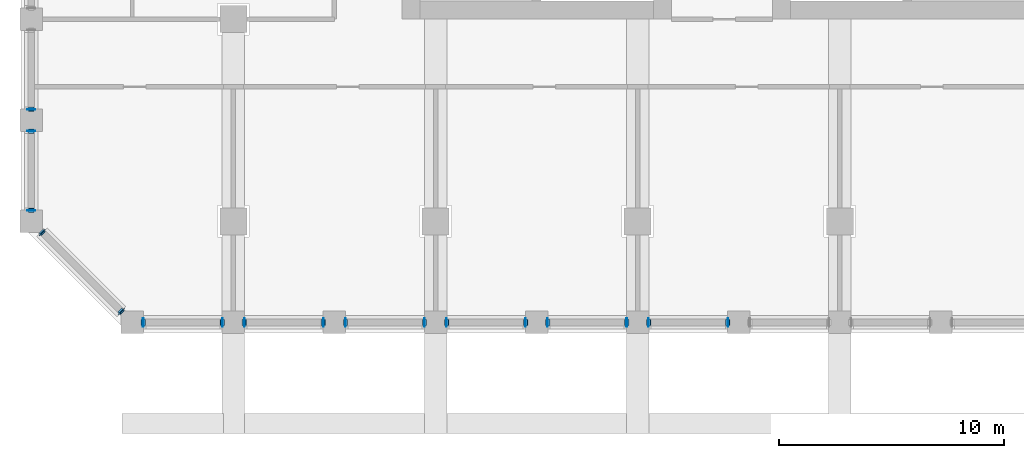
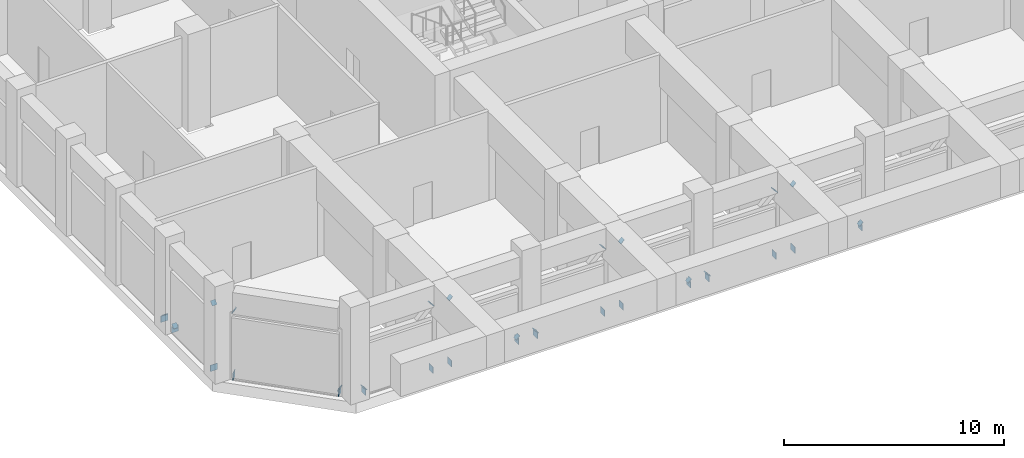
# One storey, part 8 of 20: 34 discrete accessories.
"""IFC4 building model written with IfcOpenShell, lengths in metres."""

from ifc_helpers import new_model, si_unit, direction, frame, origin, origin_2d, place, context, subcontext, project, spatial, rectangle, extrude, material, material_profile, profile_set, type_object, element, save


model = new_model("IFC4")

# Units and contexts
model_context = context("Model", 3, precision=1e-05, world=origin(), true_north=direction((0.0, 1.0)))
body_context = subcontext(model_context, "Body", "Model", "MODEL_VIEW")
ifc_project = project(units=[si_unit("LENGTHUNIT", "METRE"), si_unit("AREAUNIT", "SQUARE_METRE"), si_unit("VOLUMEUNIT", "CUBIC_METRE"), si_unit("PLANEANGLEUNIT", "RADIAN"), si_unit("MASSUNIT", "GRAM", prefix="KILO")], contexts=[model_context])

# Site, building, storey
site_placement = place(None, origin())
site = spatial("IfcSite", under=ifc_project, at=site_placement, CompositionType="ELEMENT")
building_placement = place(site_placement, origin())
building = spatial("IfcBuilding", under=site, at=building_placement, Name="Corbel Stack Research Tower", CompositionType="ELEMENT")
storey_placement = place(building_placement, frame((0.0, 0.0, 151.39990234375)))
storey = spatial("IfcBuildingStorey", under=building, at=storey_placement, Name="L34", CompositionType="ELEMENT", Elevation=151.39990234375)

# Discrete accessories
ifc_material_1 = material(Name="Steel S355", Category="steel")
ifc_material_profile_1 = material_profile(ifc_material_1, rectangle(XDim=0.25390625, YDim=0.25390625, at=origin_2d()), Name="End plate 254x254x25")
ifc_profile_set_1 = profile_set([ifc_material_profile_1], Name="Steel S355")
discrete_accessory_type_1 = type_object("IfcDiscreteAccessoryType", Name="End plate 254x254x25", PredefinedType="ANCHORPLATE", material=ifc_profile_set_1)
for number, where, z_axis, x_axis, name in (
    (1, (-22.0, -22.5, 0.356201171875), (-0.711966448453, 0.0, -0.702213483406), (0.0, -1.0, 0.0), "Belt truss end plate L34-01d1"),
    (2, (-18.5, -22.5, 3.75), (0.711966448453, 0.0, 0.702213483406), (0.0, 1.0, 0.0), "Belt truss end plate L34-01d2"),
    (3, (-14.0, -22.5, 0.356201171875), (0.711966448453, 0.0, -0.702213483406), (0.0, 1.0, 0.0), "Belt truss end plate L34-02d1"),
    (4, (-17.5, -22.5, 3.75), (-0.711966448453, 0.0, 0.702213483406), (0.0, -1.0, 0.0), "Belt truss end plate L34-02d2"),
    (5, (-13.0, -22.5, 0.356201171875), (-0.711966448453, 0.0, -0.702213483406), (0.0, -1.0, 0.0), "Belt truss end plate L34-03d1"),
    (6, (-9.5, -22.5, 3.75), (0.711966448453, 0.0, 0.702213483406), (0.0, 1.0, 0.0), "Belt truss end plate L34-03d2"),
    (7, (-5.0, -22.5, 0.356201171875), (0.711966448453, 0.0, -0.702213483406), (0.0, 1.0, 0.0), "Belt truss end plate L34-04d1"),
    (8, (-8.5, -22.5, 3.75), (-0.711966448453, 0.0, 0.702213483406), (0.0, -1.0, 0.0), "Belt truss end plate L34-04d2"),
    (9, (-4.0, -22.5, 0.356201171875), (-0.711966448453, 0.0, -0.702213483406), (0.0, -1.0, 0.0), "Belt truss end plate L34-05d1"),
    (10, (-0.5, -22.5, 3.75), (0.711966448453, 0.0, 0.702213483406), (0.0, 1.0, 0.0), "Belt truss end plate L34-05d2"),
    (11, (4.0, -22.5, 0.356201171875), (0.711966448453, 0.0, -0.702213483406), (0.0, 1.0, 0.0), "Belt truss end plate L34-06d1"),
    (12, (0.5, -22.5, 3.75), (-0.711966448453, 0.0, 0.702213483406), (0.0, -1.0, 0.0), "Belt truss end plate L34-06d2"),
    (13, (-27.0, -13.0, 0.356201171875), (0.0, -0.711966448453, -0.702213483406), (1.0, 0.0, 0.0), "Belt truss end plate L34-40d1"),
    (14, (-27.0, -14.0, 0.356201171875), (0.0, 0.711966448453, -0.702213483406), (-1.0, 0.0, 0.0), "Belt truss end plate L34-41d1"),
    (15, (-27.0, -17.5, 3.75), (0.0, -0.711966448453, 0.702213483406), (1.0, 0.0, 0.0), "Belt truss end plate L34-41d2"),
    (16, (-23.0, -22.0, 0.356201171875), (0.58376365729, -0.58376365729, -0.564304868714), (0.707106781187, 0.707106781187, 0.0), "Belt truss end plate L34-42d1"),
    (17, (-26.5, -18.5, 3.75), (-0.58376365729, 0.58376365729, 0.564304868714), (-0.707106781187, -0.707106781187, 0.0), "Belt truss end plate L34-42d2"),
):
    element("IfcDiscreteAccessory", number, at=place(storey_placement, frame(where, z_axis=z_axis, x_axis=x_axis)), inside=storey, type_object=discrete_accessory_type_1, Name=name, PredefinedType="ANCHORPLATE", context=body_context, shape_type="SweptSolid", body=[
        extrude(rectangle(XDim=0.25390625, YDim=0.25390625, at=origin_2d()), origin(), (0.0, 0.0, 1.0), 0.025146484375),
    ])
ifc_material_2 = material(Name="Steel S355", Category="steel")
ifc_material_profile_2 = material_profile(ifc_material_2, rectangle(XDim=0.368896484375, YDim=0.35595703125, at=origin_2d()), Name="End plate 369x356x25")
ifc_profile_set_2 = profile_set([ifc_material_profile_2], Name="Steel S355")
discrete_accessory_type_2 = type_object("IfcDiscreteAccessoryType", Name="End plate 369x356x25", PredefinedType="ANCHORPLATE", material=ifc_profile_set_2)
for number, where, z_axis, x_axis, name in (
    (18, (-22.0, -22.5, 0.177978515625), (-1.0, 0.0, 0.0), (0.0, -1.0, 0.0), "Belt truss end plate L34-01c1"),
    (19, (-18.5, -22.5, 0.177978515625), (1.0, 0.0, 0.0), (0.0, 1.0, 0.0), "Belt truss end plate L34-01c2"),
    (20, (-17.5, -22.5, 0.177978515625), (-1.0, 0.0, 0.0), (0.0, -1.0, 0.0), "Belt truss end plate L34-02c1"),
    (21, (-14.0, -22.5, 0.177978515625), (1.0, 0.0, 0.0), (0.0, 1.0, 0.0), "Belt truss end plate L34-02c2"),
    (22, (-13.0, -22.5, 0.177978515625), (-1.0, 0.0, 0.0), (0.0, -1.0, 0.0), "Belt truss end plate L34-03c1"),
    (23, (-9.5, -22.5, 0.177978515625), (1.0, 0.0, 0.0), (0.0, 1.0, 0.0), "Belt truss end plate L34-03c2"),
    (24, (-8.5, -22.5, 0.177978515625), (-1.0, 0.0, 0.0), (0.0, -1.0, 0.0), "Belt truss end plate L34-04c1"),
    (25, (-5.0, -22.5, 0.177978515625), (1.0, 0.0, 0.0), (0.0, 1.0, 0.0), "Belt truss end plate L34-04c2"),
    (26, (-4.0, -22.5, 0.177978515625), (-1.0, 0.0, 0.0), (0.0, -1.0, 0.0), "Belt truss end plate L34-05c1"),
    (27, (-0.5, -22.5, 0.177978515625), (1.0, 0.0, 0.0), (0.0, 1.0, 0.0), "Belt truss end plate L34-05c2"),
    (28, (0.5, -22.5, 0.177978515625), (-1.0, 0.0, 0.0), (0.0, -1.0, 0.0), "Belt truss end plate L34-06c1"),
    (29, (4.0, -22.5, 0.177978515625), (1.0, 0.0, 0.0), (0.0, 1.0, 0.0), "Belt truss end plate L34-06c2"),
    (30, (-27.0, -13.0, 0.177978515625), (0.0, -1.0, 0.0), (1.0, 0.0, 0.0), "Belt truss end plate L34-40c2"),
    (31, (-27.0, -14.0, 0.177978515625), (0.0, 1.0, 0.0), (-1.0, 0.0, 0.0), "Belt truss end plate L34-41c1"),
    (32, (-27.0, -17.5, 0.177978515625), (0.0, -1.0, 0.0), (1.0, 0.0, 0.0), "Belt truss end plate L34-41c2"),
    (33, (-26.5, -18.5, 0.177978515625), (-0.707106781187, 0.707106781187, 0.0), (-0.707106781187, -0.707106781187, 0.0), "Belt truss end plate L34-42c1"),
    (34, (-23.0, -22.0, 0.177978515625), (0.707106781187, -0.707106781187, 0.0), (0.707106781187, 0.707106781187, 0.0), "Belt truss end plate L34-42c2"),
):
    element("IfcDiscreteAccessory", number, at=place(storey_placement, frame(where, z_axis=z_axis, x_axis=x_axis)), inside=storey, type_object=discrete_accessory_type_2, Name=name, PredefinedType="ANCHORPLATE", context=body_context, shape_type="SweptSolid", body=[
        extrude(rectangle(XDim=0.368896484375, YDim=0.35595703125, at=origin_2d()), origin(), (0.0, 0.0, 1.0), 0.02490234375),
    ])

save(model, "model.ifc")
